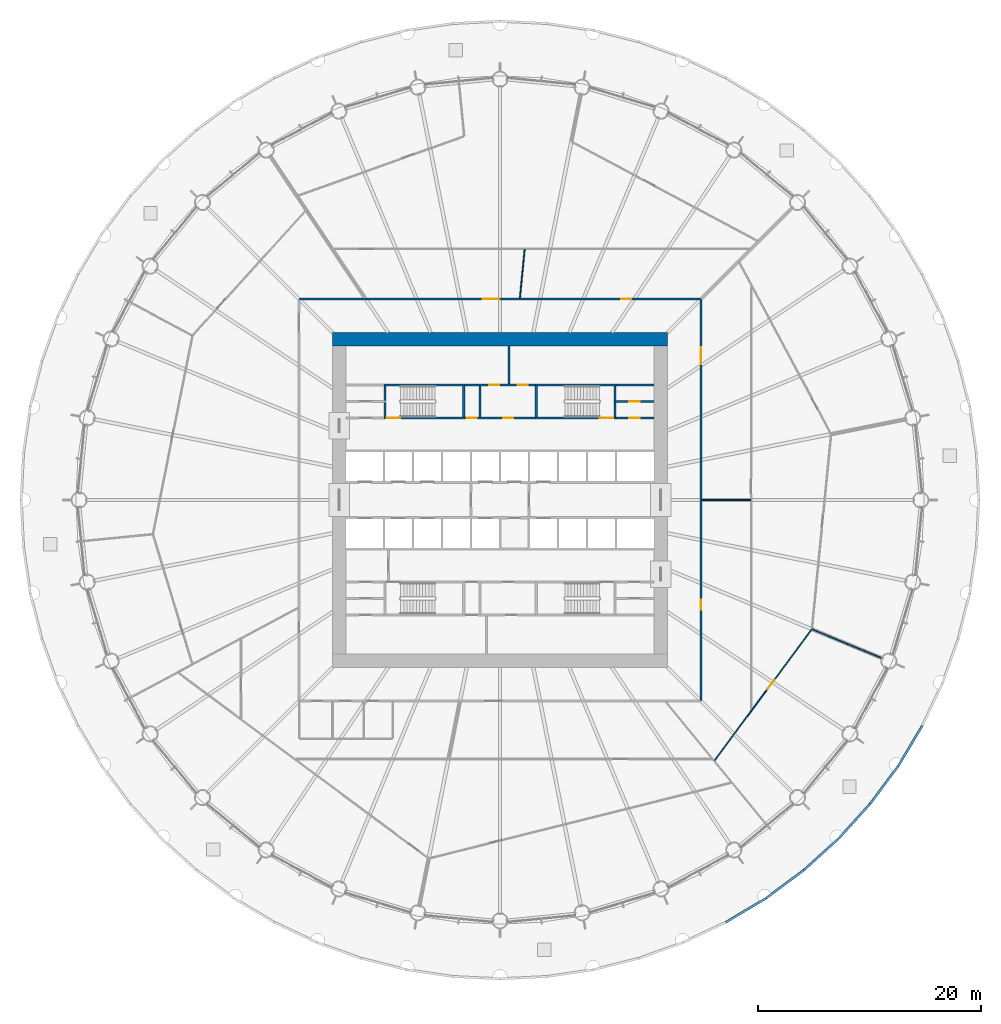
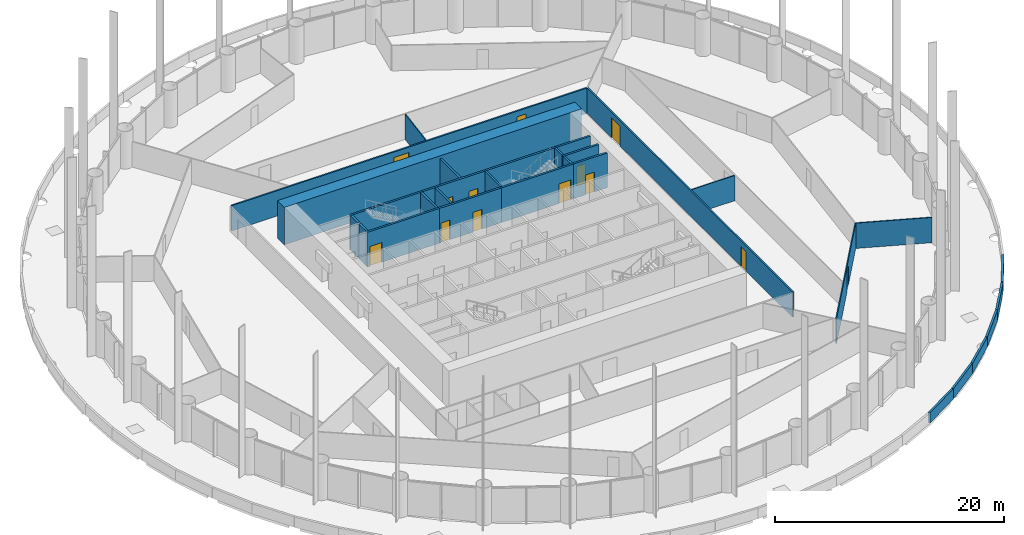
# One storey, part 12 of 17: 30 walls, 13 doors, 13 openings.
"""IFC4 building model written with IfcOpenShell, lengths in metres."""

from ifc_helpers import new_model, si_unit, direction, frame, frame_2d, origin, place, context, subcontext, project, spatial, polyline, rectangle, outline, extrude, material, layer, layer_set, type_object, element, fill, save


model = new_model("IFC4")

# Units and contexts
model_context = context("Model", 3, precision=1e-05, world=origin(), true_north=direction((0.0, 1.0)))
body_context = subcontext(model_context, "Body", "Model", "MODEL_VIEW")
ifc_project = project(units=[si_unit("LENGTHUNIT", "METRE"), si_unit("AREAUNIT", "SQUARE_METRE"), si_unit("VOLUMEUNIT", "CUBIC_METRE"), si_unit("PLANEANGLEUNIT", "RADIAN"), si_unit("MASSUNIT", "GRAM", prefix="KILO")], contexts=[model_context])

# Site, building, storey
site_placement = place(None, origin())
site = spatial("IfcSite", under=ifc_project, at=site_placement, CompositionType="ELEMENT")
building_placement = place(site_placement, origin())
building = spatial("IfcBuilding", under=site, at=building_placement, Name="Corvane Civic Tower", CompositionType="ELEMENT")
storey_placement = place(building_placement, frame((0.0, 0.0, 37.0)))
storey = spatial("IfcBuildingStorey", under=building, at=storey_placement, Name="L07", CompositionType="ELEMENT", Elevation=37.0)

# Wall
ifc_material_1 = material(Name="Concrete C80/95", Category="concrete")
ifc_layer_1 = layer(ifc_material_1, 1.199951171875)
ifc_layer_set_1 = layer_set([ifc_layer_1], Name="Concrete C80/95")
wall_type_1 = type_object("IfcWallType", Name="CORE WALL 1200 C80/95", PredefinedType="SHEAR", material=ifc_layer_set_1)
wall_1_placement = place(storey_placement, frame((-15.0, 14.39990234375, 0.0), z_axis=(0.0, 0.0, 1.0), x_axis=(1.0, 0.0, 0.0)))
element("IfcWall", 1, at=wall_1_placement, inside=storey, type_object=wall_type_1, Name="W-L07-core-N", PredefinedType="SHEAR", context=body_context, shape_type="SweptSolid", body=[
    extrude(rectangle(XDim=30.0, YDim=1.199951171875, at=frame_2d((15.0, 0.0))), origin(), (0.0, 0.0, 1.0), 4.0),
])

# Wall, openings, doors
ifc_material_2 = material(Name="Concrete C30/37", Category="concrete")
ifc_layer_2 = layer(ifc_material_2, 0.199951171875)
ifc_layer_set_2 = layer_set([ifc_layer_2], Name="Concrete C30/37")
wall_type_2 = type_object("IfcWallType", Name="CR-WALL-200", PredefinedType="PARTITIONING", material=ifc_layer_set_2)
wall_2_placement = place(storey_placement, frame((-3.14990234375, 7.35009765625, 0.0), z_axis=(0.0, 0.0, 1.0), x_axis=(1.0, 0.0, 0.0)))
wall_2 = element("IfcWall", 2, at=wall_2_placement, inside=storey, type_object=wall_type_2, Name="L07 core partition wall", PredefinedType="PARTITIONING", context=body_context, shape_type="SweptSolid", body=[
    extrude(rectangle(XDim=6.2998046875, YDim=0.199951171875, at=frame_2d((3.14990234375, 0.0))), origin(), (0.0, 0.0, 1.0), 3.699951171875),
])
opening_1_placement = place(wall_2_placement, frame((0.175048828125, 0.0, 0.0)))
opening_1 = element("IfcOpeningElement", 3, at=opening_1_placement, cuts=wall_2, Name="Opening L07.C02", PredefinedType="OPENING", context=body_context, shape_type="SweptSolid", body=[
    extrude(rectangle(XDim=0.89990234375, YDim=2.10009765625, at=frame_2d((0.449951171875, 1.050048828125))), frame((0.0, 0.10986328125, 0.0), z_axis=(0.0, -1.0, 0.0), x_axis=(1.0, 0.0, 0.0)), (0.0, 0.0, 1.0), 0.219970703125),
])
opening_2_placement = place(wall_2_placement, frame((3.425048828125, 0.0, 0.0)))
opening_2 = element("IfcOpeningElement", 4, at=opening_2_placement, cuts=wall_2, Name="Opening L07.C03", PredefinedType="OPENING", context=body_context, shape_type="SweptSolid", body=[
    extrude(rectangle(XDim=0.89990234375, YDim=2.10009765625, at=frame_2d((0.449951171875, 1.050048828125))), frame((0.0, 0.10986328125, 0.0), z_axis=(0.0, -1.0, 0.0), x_axis=(1.0, 0.0, 0.0)), (0.0, 0.0, 1.0), 0.219970703125),
])
ifc_material_3 = material(Name="Steel fire door leaf", Category="steel")
door_type_1 = type_object("IfcDoorType", Name="CR-DOOR-900", OperationType="SINGLE_SWING_LEFT", PredefinedType="DOOR", material=ifc_material_3)
door_1_placement = place(opening_1_placement, origin())
door_1 = element("IfcDoor", 5, at=door_1_placement, inside=storey, type_object=door_type_1, Name="L07 door", OperationType="SINGLE_SWING_LEFT", OverallHeight=2.10009765625, OverallWidth=0.89990234375, PredefinedType="DOOR", context=body_context, shape_type="SweptSolid", body=[
    extrude(rectangle(XDim=0.89990234375, YDim=2.10009765625, at=frame_2d((0.449951171875, 1.050048828125))), frame((0.0, 0.02490234375, 0.0), z_axis=(0.0, -1.0, 0.0), x_axis=(1.0, 0.0, 0.0)), (0.0, 0.0, 1.0), 0.050048828125),
])
fill(opening_1, door_1)
door_2_placement = place(opening_2_placement, origin())
door_2 = element("IfcDoor", 6, at=door_2_placement, inside=storey, type_object=door_type_1, Name="L07 door", OperationType="SINGLE_SWING_LEFT", OverallHeight=2.10009765625, OverallWidth=0.89990234375, PredefinedType="DOOR", context=body_context, shape_type="SweptSolid", body=[
    extrude(rectangle(XDim=0.89990234375, YDim=2.10009765625, at=frame_2d((0.449951171875, 1.050048828125))), frame((0.0, 0.02490234375, 0.0), z_axis=(0.0, -1.0, 0.0), x_axis=(1.0, 0.0, 0.0)), (0.0, 0.0, 1.0), 0.050048828125),
])
fill(opening_2, door_2)

# Wall, opening, door
wall_3_placement = place(storey_placement, frame((10.39990234375, 7.35009765625, 0.0), z_axis=(0.0, 0.0, 1.0), x_axis=(1.0, 0.0, 0.0)))
wall_3 = element("IfcWall", 7, at=wall_3_placement, inside=storey, type_object=wall_type_2, Name="L07 core partition wall", PredefinedType="PARTITIONING", context=body_context, shape_type="SweptSolid", body=[
    extrude(rectangle(XDim=3.400146484375, YDim=0.199951171875, at=frame_2d((1.7001953125, 0.0))), origin(), (0.0, 0.0, 1.0), 3.699951171875),
])
opening_3_placement = place(wall_3_placement, frame((1.199951171875, 0.0, 0.0)))
opening_3 = element("IfcOpeningElement", 8, at=opening_3_placement, cuts=wall_3, Name="Opening L07.C15", PredefinedType="OPENING", context=body_context, shape_type="SweptSolid", body=[
    extrude(rectangle(XDim=0.89990234375, YDim=2.10009765625, at=frame_2d((0.449951171875, 1.050048828125))), frame((0.0, 0.10986328125, 0.0), z_axis=(0.0, -1.0, 0.0), x_axis=(1.0, 0.0, 0.0)), (0.0, 0.0, 1.0), 0.219970703125),
])
door_3_placement = place(opening_3_placement, origin())
door_3 = element("IfcDoor", 9, at=door_3_placement, inside=storey, type_object=door_type_1, Name="L07 door", OperationType="SINGLE_SWING_LEFT", OverallHeight=2.10009765625, OverallWidth=0.89990234375, PredefinedType="DOOR", context=body_context, shape_type="SweptSolid", body=[
    extrude(rectangle(XDim=0.89990234375, YDim=2.10009765625, at=frame_2d((0.449951171875, 1.050048828125))), frame((0.0, 0.02490234375, 0.0), z_axis=(0.0, -1.0, 0.0), x_axis=(1.0, 0.0, 0.0)), (0.0, 0.0, 1.0), 0.050048828125),
])
fill(opening_3, door_3)

wall_4_placement = place(storey_placement, frame((10.199951171875, 8.824951171875, 0.0), z_axis=(0.0, 0.0, 1.0), x_axis=(1.0, 0.0, 0.0)))
wall_4 = element("IfcWall", 10, at=wall_4_placement, inside=storey, type_object=wall_type_2, Name="L07 partition wall", PredefinedType="PARTITIONING", context=body_context, shape_type="SweptSolid", body=[
    extrude(rectangle(XDim=3.60009765625, YDim=0.199951171875, at=frame_2d((1.800048828125, 0.0))), origin(), (0.0, 0.0, 1.0), 3.699951171875),
])
opening_4_placement = place(wall_4_placement, frame((1.39990234375, 0.0, 0.0)))
opening_4 = element("IfcOpeningElement", 11, at=opening_4_placement, cuts=wall_4, Name="Opening L07.C16", PredefinedType="OPENING", context=body_context, shape_type="SweptSolid", body=[
    extrude(rectangle(XDim=0.89990234375, YDim=2.10009765625, at=frame_2d((0.449951171875, 1.050048828125))), frame((0.0, 0.10986328125, 0.0), z_axis=(0.0, -1.0, 0.0), x_axis=(1.0, 0.0, 0.0)), (0.0, 0.0, 1.0), 0.219970703125),
])
door_4_placement = place(opening_4_placement, origin())
door_4 = element("IfcDoor", 12, at=door_4_placement, inside=storey, type_object=door_type_1, Name="L07 door", OperationType="SINGLE_SWING_LEFT", OverallHeight=2.10009765625, OverallWidth=0.89990234375, PredefinedType="DOOR", context=body_context, shape_type="SweptSolid", body=[
    extrude(rectangle(XDim=0.89990234375, YDim=2.10009765625, at=frame_2d((0.449951171875, 1.050048828125))), frame((0.0, 0.02490234375, 0.0), z_axis=(0.0, -1.0, 0.0), x_axis=(1.0, 0.0, 0.0)), (0.0, 0.0, 1.0), 0.050048828125),
])
fill(opening_4, door_4)

# Wall, openings, doors
wall_5_placement = place(storey_placement, frame((-3.14990234375, 10.300048828125, 0.0), z_axis=(0.0, 0.0, 1.0), x_axis=(1.0, 0.0, 0.0)))
wall_5 = element("IfcWall", 13, at=wall_5_placement, inside=storey, type_object=wall_type_2, Name="L07 partition wall", PredefinedType="PARTITIONING", context=body_context, shape_type="SweptSolid", body=[
    extrude(rectangle(XDim=6.2998046875, YDim=0.199951171875, at=frame_2d((3.14990234375, 0.0))), origin(), (0.0, 0.0, 1.0), 3.699951171875),
])
opening_5_placement = place(wall_5_placement, frame((2.199951171875, 0.0, 0.0)))
opening_5 = element("IfcOpeningElement", 14, at=opening_5_placement, cuts=wall_5, Name="Opening L07.C06", PredefinedType="OPENING", context=body_context, shape_type="SweptSolid", body=[
    extrude(rectangle(XDim=0.89990234375, YDim=2.10009765625, at=frame_2d((0.449951171875, 1.050048828125))), frame((0.0, 0.10986328125, 0.0), z_axis=(0.0, -1.0, 0.0), x_axis=(1.0, 0.0, 0.0)), (0.0, 0.0, 1.0), 0.219970703125),
])
opening_6_placement = place(wall_5_placement, frame((4.72509765625, 0.0, 0.0)))
opening_6 = element("IfcOpeningElement", 15, at=opening_6_placement, cuts=wall_5, Name="Opening L07.C07", PredefinedType="OPENING", context=body_context, shape_type="SweptSolid", body=[
    extrude(rectangle(XDim=0.89990234375, YDim=2.10009765625, at=frame_2d((0.449951171875, 1.050048828125))), frame((0.0, 0.10986328125, 0.0), z_axis=(0.0, -1.0, 0.0), x_axis=(1.0, 0.0, 0.0)), (0.0, 0.0, 1.0), 0.219970703125),
])
door_5_placement = place(opening_5_placement, origin())
door_5 = element("IfcDoor", 16, at=door_5_placement, inside=storey, type_object=door_type_1, Name="L07 door", OperationType="SINGLE_SWING_LEFT", OverallHeight=2.10009765625, OverallWidth=0.89990234375, PredefinedType="DOOR", context=body_context, shape_type="SweptSolid", body=[
    extrude(rectangle(XDim=0.89990234375, YDim=2.10009765625, at=frame_2d((0.449951171875, 1.050048828125))), frame((0.0, 0.02490234375, 0.0), z_axis=(0.0, -1.0, 0.0), x_axis=(1.0, 0.0, 0.0)), (0.0, 0.0, 1.0), 0.050048828125),
])
fill(opening_5, door_5)
door_6_placement = place(opening_6_placement, origin())
door_6 = element("IfcDoor", 17, at=door_6_placement, inside=storey, type_object=door_type_1, Name="L07 door", OperationType="SINGLE_SWING_LEFT", OverallHeight=2.10009765625, OverallWidth=0.89990234375, PredefinedType="DOOR", context=body_context, shape_type="SweptSolid", body=[
    extrude(rectangle(XDim=0.89990234375, YDim=2.10009765625, at=frame_2d((0.449951171875, 1.050048828125))), frame((0.0, 0.02490234375, 0.0), z_axis=(0.0, -1.0, 0.0), x_axis=(1.0, 0.0, 0.0)), (0.0, 0.0, 1.0), 0.050048828125),
])
fill(opening_6, door_6)

# Walls
wall_6_placement = place(storey_placement, origin())
element("IfcWall", 18, at=wall_6_placement, inside=storey, type_object=wall_type_2, Name="L07 core partition wall", PredefinedType="PARTITIONING", context=body_context, shape_type="SweptSolid", body=[
    extrude(outline(polyline([(-1.699951171875, 10.199951171875), (-1.699951171875, 7.449951171875), (-1.89990234375, 7.449951171875), (-1.89990234375, 10.199951171875), (-1.699951171875, 10.199951171875)])), origin(), (0.0, 0.0, 1.0), 3.699951171875),
])
wall_7_placement = place(storey_placement, origin())
element("IfcWall", 19, at=wall_7_placement, inside=storey, type_object=wall_type_2, Name="L07 core partition wall", PredefinedType="PARTITIONING", context=body_context, shape_type="SweptSolid", body=[
    extrude(outline(polyline([(0.89990234375, 13.800048828125), (0.89990234375, 10.39990234375), (0.699951171875, 10.39990234375), (0.699951171875, 13.800048828125), (0.89990234375, 13.800048828125)])), origin(), (0.0, 0.0, 1.0), 3.699951171875),
])
wall_8_placement = place(storey_placement, origin())
element("IfcWall", 20, at=wall_8_placement, inside=storey, type_object=wall_type_2, Name="L07 core partition wall", PredefinedType="PARTITIONING", context=body_context, shape_type="SweptSolid", body=[
    extrude(outline(polyline([(10.39990234375, 10.199951171875), (10.39990234375, 10.39990234375), (13.800048828125, 10.39990234375), (13.800048828125, 10.199951171875), (10.39990234375, 10.199951171875)])), origin(), (0.0, 0.0, 1.0), 3.699951171875),
])
ifc_material_4 = material(Name="Limestone cladding", Category="masonry")
ifc_layer_3 = layer(ifc_material_4, 0.199951171875)
ifc_layer_set_3 = layer_set([ifc_layer_3], Name="Limestone cladding")
wall_type_3 = type_object("IfcWallType", Name="PODIUM-W-PARAPET-200", PredefinedType="PARAPET", material=ifc_layer_set_3)
wall_9_placement = place(storey_placement, frame((20.227294921875, -37.831787109375, 0.0), z_axis=(0.0, 0.0, 1.0), x_axis=(0.857708288113, 0.514136647694, 0.0)))
element("IfcWall", 21, at=wall_9_placement, inside=storey, type_object=wall_type_3, Name="Drum roof parapet 38", PredefinedType="PARAPET", context=body_context, shape_type="SweptSolid", body=[
    extrude(rectangle(XDim=4.19970703125, YDim=0.199951171875, at=frame_2d((2.099853515625, 0.0))), origin(), (0.0, 0.0, 1.0), 1.10009765625),
])
for number, where, z_axis, x_axis, name in (
    (22, (23.837890625, -35.6669921875, 0.0), (0.0, 0.0, 1.0), (0.803190442318, 0.59572234587, 0.0), "Drum roof parapet 39"),
    (23, (27.218994140625, -33.15869140625, 0.0), (0.0, 0.0, 1.0), (0.740957123113, 0.671552337281, 0.0), "Drum roof parapet 40"),
    (24, (30.338134765625, -30.3310546875, 0.0), (0.0, 0.0, 1.0), (0.671552337281, 0.740957123113, 0.0), "Drum roof parapet 41"),
    (25, (33.1650390625, -27.211181640625, 0.0), (0.0, 0.0, 1.0), (0.59572234587, 0.803190442318, 0.0), "Drum roof parapet 42"),
):
    element("IfcWall", number, at=place(storey_placement, frame(where, z_axis=z_axis, x_axis=x_axis)), inside=storey, type_object=wall_type_3, Name=name, PredefinedType="PARAPET", context=body_context, shape_type="SweptSolid", body=[
        extrude(rectangle(XDim=4.199951171875, YDim=0.199951171875, at=frame_2d((2.10009765625, 0.0))), origin(), (0.0, 0.0, 1.0), 1.10009765625),
    ])
wall_10_placement = place(storey_placement, frame((35.672607421875, -23.829345703125, 0.0), z_axis=(0.0, 0.0, 1.0), x_axis=(0.514136647694, 0.857708288113, 0.0)))
element("IfcWall", 26, at=wall_10_placement, inside=storey, type_object=wall_type_3, Name="Drum roof parapet 43", PredefinedType="PARAPET", context=body_context, shape_type="SweptSolid", body=[
    extrude(rectangle(XDim=4.19970703125, YDim=0.199951171875, at=frame_2d((2.099853515625, 0.0))), origin(), (0.0, 0.0, 1.0), 1.10009765625),
])

# Wall, opening, door
ifc_material_5 = material(Name="Plasterboard")
ifc_layer_4 = layer(ifc_material_5, 0.10009765625)
ifc_layer_set_4 = layer_set([ifc_layer_4], Name="Plasterboard")
wall_type_4 = type_object("IfcWallType", Name="Partition 100 plasterboard on studs", PredefinedType="PARTITIONING", material=ifc_layer_set_4)
wall_11_placement = place(storey_placement, frame((19.222900390625, -23.3251953125, 0.0), z_axis=(0.0, 0.0, 1.0), x_axis=(0.595692367328, 0.803212676386, 0.0)))
wall_11 = element("IfcWall", 27, at=wall_11_placement, inside=storey, type_object=wall_type_4, Name="Partition L07.005", PredefinedType="PARTITIONING", context=body_context, shape_type="SweptSolid", body=[
    extrude(rectangle(XDim=14.5927734375, YDim=0.10009765625, at=frame_2d((7.29638671875, 0.0))), origin(), (0.0, 0.0, 1.0), 2.699951171875),
])
opening_7_placement = place(wall_11_placement, frame((7.977783203125, 0.0, 0.0)))
opening_7 = element("IfcOpeningElement", 28, at=opening_7_placement, cuts=wall_11, Name="Opening L07.003", PredefinedType="OPENING", context=body_context, shape_type="SweptSolid", body=[
    extrude(rectangle(XDim=1.0, YDim=2.10009765625, at=frame_2d((0.5, 1.050048828125))), frame((0.0, 0.06005859375, 0.0), z_axis=(0.0, -1.0, 0.0), x_axis=(1.0, 0.0, 0.0)), (0.0, 0.0, 1.0), 0.1201171875),
])
ifc_material_6 = material(Name="Timber", Category="wood")
door_type_2 = type_object("IfcDoorType", Name="Single door 1000", OperationType="NOTDEFINED", PredefinedType="DOOR", material=ifc_material_6)
door_7_placement = place(opening_7_placement, frame((1.0, 0.0, 0.0), z_axis=(0.0, 0.0, 1.0), x_axis=(-1.0, 0.0, 0.0)))
door_7 = element("IfcDoor", 29, at=door_7_placement, inside=storey, type_object=door_type_2, Name="Door L07.003", OperationType="SINGLE_SWING_LEFT", OverallHeight=2.10009765625, OverallWidth=1.0, PredefinedType="DOOR", context=body_context, shape_type="SweptSolid", body=[
    extrude(rectangle(XDim=1.0, YDim=2.10009765625, at=frame_2d((0.5, 1.050048828125))), frame((0.0, 0.02490234375, 0.0), z_axis=(0.0, -1.0, 0.0), x_axis=(1.0, 0.0, 0.0)), (0.0, 0.0, 1.0), 0.050048828125),
])
fill(opening_7, door_7)

# Walls
wall_12_placement = place(storey_placement, frame((27.97509765625, -11.587646484375, 0.0), z_axis=(0.0, 0.0, 1.0), x_axis=(0.923875811924, -0.382692414533, 0.0)))
element("IfcWall", 30, at=wall_12_placement, inside=storey, type_object=wall_type_4, Name="Partition L07.020", PredefinedType="PARTITIONING", context=body_context, shape_type="SweptSolid", body=[
    extrude(rectangle(XDim=6.7099609375, YDim=0.10009765625, at=frame_2d((3.35498046875, 0.0))), origin(), (0.0, 0.0, 1.0), 2.699951171875),
])
wall_13_placement = place(storey_placement, frame((18.074951171875, 0.0, 0.0), z_axis=(0.0, 0.0, 1.0), x_axis=(1.0, 0.0, 0.0)))
element("IfcWall", 31, at=wall_13_placement, inside=storey, type_object=wall_type_4, Name="Partition L07.024", PredefinedType="PARTITIONING", context=body_context, shape_type="SweptSolid", body=[
    extrude(rectangle(XDim=4.375, YDim=0.10009765625, at=frame_2d((2.1875, 0.0))), origin(), (0.0, 0.0, 1.0), 2.699951171875),
])
wall_14_placement = place(storey_placement, frame((1.78076171875, 18.079833984375, 0.0), z_axis=(0.0, 0.0, 1.0), x_axis=(0.098015690998, 0.995184869418, 0.0)))
element("IfcWall", 32, at=wall_14_placement, inside=storey, type_object=wall_type_4, Name="Partition L07.031", PredefinedType="PARTITIONING", context=body_context, shape_type="SweptSolid", body=[
    extrude(rectangle(XDim=4.386474609375, YDim=0.10009765625, at=frame_2d((2.193359375, 0.0))), origin(), (0.0, 0.0, 1.0), 2.699951171875),
])

# Wall, opening, door
ifc_material_7 = material(Name="Concrete C50/60", Category="concrete")
ifc_layer_5 = layer(ifc_material_7, 0.199951171875)
ifc_layer_set_5 = layer_set([ifc_layer_5], Name="Concrete C50/60")
wall_type_5 = type_object("IfcWallType", Name="ST-WALL-200", PredefinedType="SHEAR", material=ifc_layer_set_5)
wall_15_placement = place(storey_placement, frame((-10.39990234375, 7.35009765625, 0.0), z_axis=(0.0, 0.0, 1.0), x_axis=(1.0, 0.0, 0.0)))
wall_15 = element("IfcWall", 33, at=wall_15_placement, inside=storey, type_object=wall_type_5, Name="L07 stair enclosure wall", PredefinedType="SHEAR", context=body_context, shape_type="SweptSolid", body=[
    extrude(rectangle(XDim=7.25, YDim=0.199951171875, at=frame_2d((3.625, 0.0))), origin(), (0.0, 0.0, 1.0), 3.699951171875),
])
opening_8_placement = place(wall_15_placement, frame((0.25, 0.0, 0.0)))
opening_8 = element("IfcOpeningElement", 34, at=opening_8_placement, cuts=wall_15, Name="Opening L07.C20", PredefinedType="OPENING", context=body_context, shape_type="SweptSolid", body=[
    extrude(rectangle(XDim=1.199951171875, YDim=2.10009765625, at=frame_2d((0.60009765625, 1.050048828125))), frame((0.0, 0.10986328125, 0.0), z_axis=(0.0, -1.0, 0.0), x_axis=(1.0, 0.0, 0.0)), (0.0, 0.0, 1.0), 0.219970703125),
])
ifc_material_8 = material(Name="Steel fire door leaf", Category="steel")
door_type_3 = type_object("IfcDoorType", Name="ST-DOOR-1200", OperationType="SINGLE_SWING_RIGHT", PredefinedType="DOOR", material=ifc_material_8)
door_8_placement = place(opening_8_placement, origin())
door_8 = element("IfcDoor", 35, at=door_8_placement, inside=storey, type_object=door_type_3, Name="L07 stair door", OperationType="SINGLE_SWING_RIGHT", OverallHeight=2.10009765625, OverallWidth=1.199951171875, PredefinedType="DOOR", context=body_context, shape_type="SweptSolid", body=[
    extrude(rectangle(XDim=1.199951171875, YDim=2.10009765625, at=frame_2d((0.60009765625, 1.050048828125))), frame((0.0, 0.02490234375, 0.0), z_axis=(0.0, -1.0, 0.0), x_axis=(1.0, 0.0, 0.0)), (0.0, 0.0, 1.0), 0.050048828125),
])
fill(opening_8, door_8)

wall_16_placement = place(storey_placement, frame((3.14990234375, 7.35009765625, 0.0), z_axis=(0.0, 0.0, 1.0), x_axis=(1.0, 0.0, 0.0)))
wall_16 = element("IfcWall", 36, at=wall_16_placement, inside=storey, type_object=wall_type_5, Name="L07 stair enclosure wall", PredefinedType="SHEAR", context=body_context, shape_type="SweptSolid", body=[
    extrude(rectangle(XDim=7.25, YDim=0.199951171875, at=frame_2d((3.625, 0.0))), origin(), (0.0, 0.0, 1.0), 3.699951171875),
])
opening_9_placement = place(wall_16_placement, frame((5.800048828125, 0.0, 0.0)))
opening_9 = element("IfcOpeningElement", 37, at=opening_9_placement, cuts=wall_16, Name="Opening L07.C19", PredefinedType="OPENING", context=body_context, shape_type="SweptSolid", body=[
    extrude(rectangle(XDim=1.199951171875, YDim=2.10009765625, at=frame_2d((0.60009765625, 1.050048828125))), frame((0.0, 0.10986328125, 0.0), z_axis=(0.0, -1.0, 0.0), x_axis=(1.0, 0.0, 0.0)), (0.0, 0.0, 1.0), 0.219970703125),
])
door_9_placement = place(opening_9_placement, origin())
door_9 = element("IfcDoor", 38, at=door_9_placement, inside=storey, type_object=door_type_3, Name="L07 stair door", OperationType="SINGLE_SWING_RIGHT", OverallHeight=2.10009765625, OverallWidth=1.199951171875, PredefinedType="DOOR", context=body_context, shape_type="SweptSolid", body=[
    extrude(rectangle(XDim=1.199951171875, YDim=2.10009765625, at=frame_2d((0.60009765625, 1.050048828125))), frame((0.0, 0.02490234375, 0.0), z_axis=(0.0, -1.0, 0.0), x_axis=(1.0, 0.0, 0.0)), (0.0, 0.0, 1.0), 0.050048828125),
])
fill(opening_9, door_9)

# Walls
wall_17_placement = place(storey_placement, origin())
element("IfcWall", 39, at=wall_17_placement, inside=storey, type_object=wall_type_5, Name="L07 stair enclosure wall", PredefinedType="SHEAR", context=body_context, shape_type="SweptSolid", body=[
    extrude(outline(polyline([(-3.14990234375, 10.199951171875), (-10.39990234375, 10.199951171875), (-10.39990234375, 10.39990234375), (-3.14990234375, 10.39990234375), (-3.14990234375, 10.199951171875)])), origin(), (0.0, 0.0, 1.0), 3.699951171875),
])
wall_18_placement = place(storey_placement, origin())
element("IfcWall", 40, at=wall_18_placement, inside=storey, type_object=wall_type_5, Name="L07 stair enclosure wall", PredefinedType="SHEAR", context=body_context, shape_type="SweptSolid", body=[
    extrude(outline(polyline([(10.39990234375, 10.199951171875), (3.14990234375, 10.199951171875), (3.14990234375, 10.39990234375), (10.39990234375, 10.39990234375), (10.39990234375, 10.199951171875)])), origin(), (0.0, 0.0, 1.0), 3.699951171875),
])
wall_19_placement = place(storey_placement, origin())
element("IfcWall", 41, at=wall_19_placement, inside=storey, type_object=wall_type_5, Name="L07 stair enclosure wall", PredefinedType="SHEAR", context=body_context, shape_type="SweptSolid", body=[
    extrude(outline(polyline([(-3.14990234375, 7.449951171875), (-3.35009765625, 7.449951171875), (-3.35009765625, 10.199951171875), (-3.14990234375, 10.199951171875), (-3.14990234375, 7.449951171875)])), origin(), (0.0, 0.0, 1.0), 3.699951171875),
])
wall_20_placement = place(storey_placement, origin())
element("IfcWall", 42, at=wall_20_placement, inside=storey, type_object=wall_type_5, Name="L07 stair enclosure wall", PredefinedType="SHEAR", context=body_context, shape_type="SweptSolid", body=[
    extrude(outline(polyline([(3.35009765625, 7.449951171875), (3.14990234375, 7.449951171875), (3.14990234375, 10.199951171875), (3.35009765625, 10.199951171875), (3.35009765625, 7.449951171875)])), origin(), (0.0, 0.0, 1.0), 3.699951171875),
])
wall_21_placement = place(storey_placement, origin())
element("IfcWall", 43, at=wall_21_placement, inside=storey, type_object=wall_type_5, Name="L07 stair enclosure wall", PredefinedType="SHEAR", context=body_context, shape_type="SweptSolid", body=[
    extrude(outline(polyline([(-10.199951171875, 8.72509765625), (-10.199951171875, 7.449951171875), (-10.39990234375, 7.449951171875), (-10.39990234375, 8.72509765625), (-10.199951171875, 8.72509765625)])), origin(), (0.0, 0.0, 1.0), 3.699951171875),
])
wall_22_placement = place(storey_placement, origin())
element("IfcWall", 44, at=wall_22_placement, inside=storey, type_object=wall_type_5, Name="L07 stair enclosure wall", PredefinedType="SHEAR", context=body_context, shape_type="SweptSolid", body=[
    extrude(outline(polyline([(10.39990234375, 8.72509765625), (10.39990234375, 7.449951171875), (10.199951171875, 7.449951171875), (10.199951171875, 8.72509765625), (10.39990234375, 8.72509765625)])), origin(), (0.0, 0.0, 1.0), 3.699951171875),
])
wall_23_placement = place(storey_placement, origin())
element("IfcWall", 45, at=wall_23_placement, inside=storey, type_object=wall_type_5, Name="L07 stair enclosure wall", PredefinedType="SHEAR", context=body_context, shape_type="SweptSolid", body=[
    extrude(outline(polyline([(-10.199951171875, 8.925048828125), (-10.39990234375, 8.925048828125), (-10.39990234375, 10.199951171875), (-10.199951171875, 10.199951171875), (-10.199951171875, 8.925048828125)])), origin(), (0.0, 0.0, 1.0), 3.699951171875),
])
wall_24_placement = place(storey_placement, origin())
element("IfcWall", 46, at=wall_24_placement, inside=storey, type_object=wall_type_5, Name="L07 stair enclosure wall", PredefinedType="SHEAR", context=body_context, shape_type="SweptSolid", body=[
    extrude(outline(polyline([(10.39990234375, 8.925048828125), (10.199951171875, 8.925048828125), (10.199951171875, 10.199951171875), (10.39990234375, 10.199951171875), (10.39990234375, 8.925048828125)])), origin(), (0.0, 0.0, 1.0), 3.699951171875),
])

# Wall, openings, doors
ifc_material_9 = material(Name="Plasterboard")
ifc_layer_6 = layer(ifc_material_9, 0.14990234375)
ifc_layer_set_6 = layer_set([ifc_layer_6], Name="Plasterboard")
wall_type_6 = type_object("IfcWallType", Name="Tenancy wall 150 EI 60", PredefinedType="PARTITIONING", material=ifc_layer_set_6)
wall_25_placement = place(storey_placement, frame((18.0, -17.925048828125, 0.0), z_axis=(0.0, 0.0, 1.0), x_axis=(0.0, 1.0, 0.0)))
wall_25 = element("IfcWall", 47, at=wall_25_placement, inside=storey, type_object=wall_type_6, Name="Partition L07.016", PredefinedType="PARTITIONING", context=body_context, shape_type="SweptSolid", body=[
    extrude(rectangle(XDim=35.85009765625, YDim=0.14990234375, at=frame_2d((17.925048828125, 0.0))), origin(), (0.0, 0.0, 1.0), 2.699951171875),
])
opening_10_placement = place(wall_25_placement, frame((30.099853515625, 0.0, 0.0)))
opening_10 = element("IfcOpeningElement", 48, at=opening_10_placement, cuts=wall_25, Name="Opening L07.005", PredefinedType="OPENING", context=body_context, shape_type="SweptSolid", body=[
    extrude(rectangle(XDim=1.5, YDim=2.10009765625, at=frame_2d((0.75, 1.050048828125))), frame((0.0, 0.0849609375, 0.0), z_axis=(0.0, -1.0, 0.0), x_axis=(1.0, 0.0, 0.0)), (0.0, 0.0, 1.0), 0.169921875),
])
opening_11_placement = place(wall_25_placement, frame((8.083740234375, 0.0, 0.0)))
opening_11 = element("IfcOpeningElement", 49, at=opening_11_placement, cuts=wall_25, Name="Opening L07.006", PredefinedType="OPENING", context=body_context, shape_type="SweptSolid", body=[
    extrude(rectangle(XDim=0.89990234375, YDim=2.10009765625, at=frame_2d((0.449951171875, 1.050048828125))), frame((0.0, 0.0849609375, 0.0), z_axis=(0.0, -1.0, 0.0), x_axis=(1.0, 0.0, 0.0)), (0.0, 0.0, 1.0), 0.169921875),
])
ifc_material_10 = material(Name="Steel and timber", Category="steel")
door_type_4 = type_object("IfcDoorType", Name="Fire door FD30S 900", OperationType="NOTDEFINED", PredefinedType="DOOR", material=ifc_material_10)
door_10_placement = place(opening_11_placement, frame((0.89990234375, 0.0, 0.0), z_axis=(0.0, 0.0, 1.0), x_axis=(-1.0, 0.0, 0.0)))
door_10 = element("IfcDoor", 50, at=door_10_placement, inside=storey, type_object=door_type_4, Name="Door L07.006", OperationType="SINGLE_SWING_LEFT", OverallHeight=2.10009765625, OverallWidth=0.89990234375, PredefinedType="DOOR", context=body_context, shape_type="SweptSolid", body=[
    extrude(rectangle(XDim=0.89990234375, YDim=2.10009765625, at=frame_2d((0.449951171875, 1.050048828125))), frame((0.0, 0.02490234375, 0.0), z_axis=(0.0, -1.0, 0.0), x_axis=(1.0, 0.0, 0.0)), (0.0, 0.0, 1.0), 0.050048828125),
])
fill(opening_11, door_10)
ifc_material_11 = material(Name="Steel and timber", Category="steel")
door_type_5 = type_object("IfcDoorType", Name="Fire door FD60 double 1500", OperationType="NOTDEFINED", PredefinedType="DOOR", material=ifc_material_11)
door_11_placement = place(opening_10_placement, frame((1.5, 0.0, 0.0), z_axis=(0.0, 0.0, 1.0), x_axis=(-1.0, 0.0, 0.0)))
door_11 = element("IfcDoor", 51, at=door_11_placement, inside=storey, type_object=door_type_5, Name="Door L07.005", OperationType="DOUBLE_DOOR_SINGLE_SWING", OverallHeight=2.10009765625, OverallWidth=1.5, PredefinedType="DOOR", context=body_context, shape_type="SweptSolid", body=[
    extrude(rectangle(XDim=1.5, YDim=2.10009765625, at=frame_2d((0.75, 1.050048828125))), frame((0.0, 0.02490234375, 0.0), z_axis=(0.0, -1.0, 0.0), x_axis=(1.0, 0.0, 0.0)), (0.0, 0.0, 1.0), 0.050048828125),
])
fill(opening_10, door_11)

wall_26_placement = place(storey_placement, frame((-17.925048828125, 18.0, 0.0), z_axis=(0.0, 0.0, 1.0), x_axis=(1.0, 0.0, 0.0)))
wall_26 = element("IfcWall", 52, at=wall_26_placement, inside=storey, type_object=wall_type_6, Name="Partition L07.029", PredefinedType="PARTITIONING", context=body_context, shape_type="SweptSolid", body=[
    extrude(rectangle(XDim=35.85009765625, YDim=0.14990234375, at=frame_2d((17.925048828125, 0.0))), origin(), (0.0, 0.0, 1.0), 2.699951171875),
])
opening_12_placement = place(wall_26_placement, frame((16.372314453125, 0.0, 0.0)))
opening_12 = element("IfcOpeningElement", 53, at=opening_12_placement, cuts=wall_26, Name="Opening L07.023", PredefinedType="OPENING", context=body_context, shape_type="SweptSolid", body=[
    extrude(rectangle(XDim=1.5, YDim=2.10009765625, at=frame_2d((0.75, 1.050048828125))), frame((0.0, 0.0849609375, 0.0), z_axis=(0.0, -1.0, 0.0), x_axis=(1.0, 0.0, 0.0)), (0.0, 0.0, 1.0), 0.169921875),
])
opening_13_placement = place(wall_26_placement, frame((28.80078125, 0.0, 0.0)))
opening_13 = element("IfcOpeningElement", 54, at=opening_13_placement, cuts=wall_26, Name="Opening L07.024", PredefinedType="OPENING", context=body_context, shape_type="SweptSolid", body=[
    extrude(rectangle(XDim=0.89990234375, YDim=2.10009765625, at=frame_2d((0.449951171875, 1.050048828125))), frame((0.0, 0.0849609375, 0.0), z_axis=(0.0, -1.0, 0.0), x_axis=(1.0, 0.0, 0.0)), (0.0, 0.0, 1.0), 0.169921875),
])
door_12_placement = place(opening_13_placement, origin())
door_12 = element("IfcDoor", 55, at=door_12_placement, inside=storey, type_object=door_type_4, Name="Door L07.024", OperationType="SINGLE_SWING_LEFT", OverallHeight=2.10009765625, OverallWidth=0.89990234375, PredefinedType="DOOR", context=body_context, shape_type="SweptSolid", body=[
    extrude(rectangle(XDim=0.89990234375, YDim=2.10009765625, at=frame_2d((0.449951171875, 1.050048828125))), frame((0.0, 0.02490234375, 0.0), z_axis=(0.0, -1.0, 0.0), x_axis=(1.0, 0.0, 0.0)), (0.0, 0.0, 1.0), 0.050048828125),
])
fill(opening_13, door_12)
door_13_placement = place(opening_12_placement, origin())
door_13 = element("IfcDoor", 56, at=door_13_placement, inside=storey, type_object=door_type_5, Name="Door L07.023", OperationType="DOUBLE_DOOR_SINGLE_SWING", OverallHeight=2.10009765625, OverallWidth=1.5, PredefinedType="DOOR", context=body_context, shape_type="SweptSolid", body=[
    extrude(rectangle(XDim=1.5, YDim=2.10009765625, at=frame_2d((0.75, 1.050048828125))), frame((0.0, 0.02490234375, 0.0), z_axis=(0.0, -1.0, 0.0), x_axis=(1.0, 0.0, 0.0)), (0.0, 0.0, 1.0), 0.050048828125),
])
fill(opening_12, door_13)

save(model, "model.ifc")
